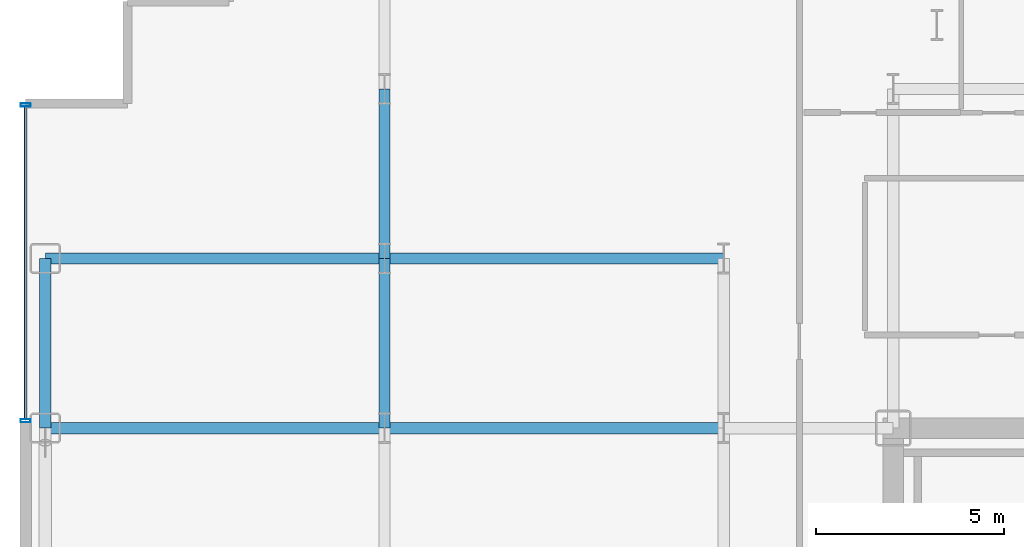
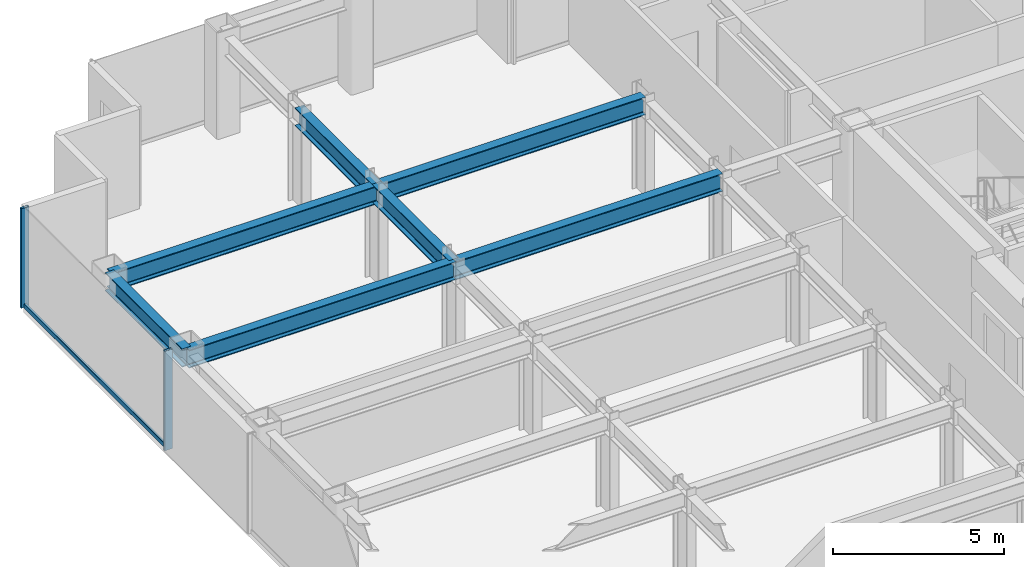
# One storey, part 12 of 27: 7 beams, 3 members, 1 element without a shape of its own.
"""IFC4 building model written with IfcOpenShell, lengths in metres."""

import ifcopenshell
import ifcopenshell.guid

model = None  # the IFC model being written
_history = None  # IfcOwnerHistory: only IFC2X3 demands one
_inside = {}  # id of a spatial element -> (the spatial element, [elements in it])
_under = {}  # id of a project, library or spatial element -> (it, [spatial elements below it])
_declared = {}  # id of a project -> (the project, [libraries it declares])
_typed = {}  # id of a type object -> (the type object, [elements of that type])
_made_of = {}  # id of a material, layer set ... -> (it, [elements and type objects made of it])


def new_model(schema):
    """Start an empty IFC model of exactly this schema.

    Asked for "IFC4X3", IfcOpenShell would pick the latest addendum, in which some entities
    have other attributes; the version numbers below select the first issue.
    IFC2X3 requires an IfcOwnerHistory on every rooted entity: one is made here for all.
    """
    global model, _history
    if schema == "IFC4X3":
        model = ifcopenshell.file(schema_version=(4, 3, 0, 0))
    else:
        model = ifcopenshell.file(schema=schema)
    _inside.clear()
    _under.clear()
    _declared.clear()
    _typed.clear()
    _made_of.clear()
    _history = None
    if model.schema == "IFC2X3":
        org = make("IfcOrganization", Name="unknown")
        user = make(
            "IfcPersonAndOrganization",
            ThePerson=make("IfcPerson", FamilyName="unknown"),
            TheOrganization=org,
        )
        app = make(
            "IfcApplication",
            ApplicationDeveloper=org,
            Version="unknown",
            ApplicationFullName="unknown",
            ApplicationIdentifier="unknown",
        )
        _history = make(
            "IfcOwnerHistory",
            OwningUser=user,
            OwningApplication=app,
            ChangeAction="ADDED",
            CreationDate=0,
        )
    return model


def make(cls, **values):
    """One entity of the class cls with the attributes given. An attribute that is None is left unset."""
    return model.create_entity(
        cls, **{name: value for name, value in values.items() if value is not None}
    )


def rooted(cls, **values):
    """An entity with a GlobalId (a new one), such as an element, a storey or a relation."""
    return make(cls, GlobalId=ifcopenshell.guid.new(), OwnerHistory=_history, **values)


def si_unit(unit_type, name, prefix=None):
    """IfcSIUnit, for example si_unit("LENGTHUNIT", "METRE", prefix="MILLI")."""
    return make("IfcSIUnit", UnitType=unit_type, Prefix=prefix, Name=name)


def assignment(units):
    """IfcUnitAssignment: the units of a project."""
    return None if units is None else make("IfcUnitAssignment", Units=units)


def point(xyz):
    """IfcCartesianPoint."""
    return None if xyz is None else make("IfcCartesianPoint", Coordinates=xyz)


def direction(xyz):
    """IfcDirection."""
    return None if xyz is None else make("IfcDirection", DirectionRatios=xyz)


def frame(location, z_axis=None, x_axis=None):
    """IfcAxis2Placement3D, a coordinate frame: its origin and axes. An axis left out is left unset."""
    return make(
        "IfcAxis2Placement3D",
        Location=point(location),
        Axis=direction(z_axis),
        RefDirection=direction(x_axis),
    )


def frame_2d(location, x_axis=None):
    """IfcAxis2Placement2D, a coordinate frame in the plane: its origin and x axis."""
    return make(
        "IfcAxis2Placement2D", Location=point(location), RefDirection=direction(x_axis)
    )


def origin():
    """The frame at (0, 0, 0) with its axes left unset."""
    return frame((0.0, 0.0, 0.0))


def origin_2d():
    """The frame at (0, 0) in the plane with its x axis left unset."""
    return frame_2d((0.0, 0.0))


def place(relative_to, where):
    """IfcLocalPlacement: puts the frame where relative to a parent placement (None: the world)."""
    return make(
        "IfcLocalPlacement", PlacementRelTo=relative_to, RelativePlacement=where
    )


def context(
    kind, dimensions, precision=None, world=None, true_north=None, identifier=None
):
    """IfcGeometricRepresentationContext, for example the 3D "Model" context."""
    return make(
        "IfcGeometricRepresentationContext",
        ContextIdentifier=identifier,
        ContextType=kind,
        CoordinateSpaceDimension=dimensions,
        Precision=precision,
        WorldCoordinateSystem=world,
        TrueNorth=true_north,
    )


def subcontext(parent, identifier, kind, view, scale=None):
    """IfcGeometricRepresentationSubContext, for example "Body" below "Model"."""
    return make(
        "IfcGeometricRepresentationSubContext",
        ContextIdentifier=identifier,
        ContextType=kind,
        ParentContext=parent,
        TargetScale=scale,
        TargetView=view,
    )


def project(units=None, contexts=None):
    """IfcProject with its units and contexts."""
    return rooted(
        "IfcProject",
        Name="project",
        RepresentationContexts=contexts,
        UnitsInContext=assignment(units),
    )


def spatial(cls, under=None, at=None, **own):
    """A site, building, storey or space (cls), placed at a placement, below another one or the project."""
    s = rooted(cls, ObjectPlacement=at, **own)
    if under is not None:
        _under.setdefault(under.id(), (under, []))[1].append(s)
    return s


def profile(cls, at=None, kind="AREA", **sizes):
    """A parametric profile (cls). Its sizes go by their IFC names, for example OverallWidth=200.0."""
    return make(cls, ProfileType=kind, Position=at, **sizes)


def hollow_rectangle(**sizes):
    """IfcRectangleHollowProfileDef."""
    return profile("IfcRectangleHollowProfileDef", **sizes)


def i_section(**sizes):
    """IfcIShapeProfileDef."""
    return profile("IfcIShapeProfileDef", **sizes)


def extrude(swept, where, along, depth):
    """IfcExtrudedAreaSolid: the profile swept, set in the frame where, extruded along a direction by depth."""
    return make(
        "IfcExtrudedAreaSolid",
        SweptArea=swept,
        Position=where,
        ExtrudedDirection=direction(along),
        Depth=depth,
    )


def shape(context_of_items, identifier, shape_type, items):
    """IfcShapeRepresentation: the items that make up one representation, for example the "Body"."""
    return make(
        "IfcShapeRepresentation",
        ContextOfItems=context_of_items,
        RepresentationIdentifier=identifier,
        RepresentationType=shape_type,
        Items=items,
    )


def source(mapping_origin, context_of_items, identifier, shape_type, items):
    """IfcRepresentationMap: a shape defined once, which mapped items show again and again."""
    return make(
        "IfcRepresentationMap",
        MappingOrigin=mapping_origin,
        MappedRepresentation=shape(context_of_items, identifier, shape_type, items),
    )


def transform(
    local_origin,
    x_axis=None,
    y_axis=None,
    z_axis=None,
    scale=None,
    scale2=None,
    scale3=None,
    uniform=True,
):
    """IfcCartesianTransformationOperator3D, or its non-uniform kind. x_axis, y_axis, z_axis: its Axis1, 2, 3."""
    if uniform:
        return make(
            "IfcCartesianTransformationOperator3D",
            Axis1=direction(x_axis),
            Axis2=direction(y_axis),
            LocalOrigin=point(local_origin),
            Scale=scale,
            Axis3=direction(z_axis),
        )
    return make(
        "IfcCartesianTransformationOperator3DnonUniform",
        Axis1=direction(x_axis),
        Axis2=direction(y_axis),
        LocalOrigin=point(local_origin),
        Scale=scale,
        Axis3=direction(z_axis),
        Scale2=scale2,
        Scale3=scale3,
    )


def mapped(mapping_source, mapping_target):
    """IfcMappedItem: shows the shape of a source again, moved by a transform."""
    return make(
        "IfcMappedItem", MappingSource=mapping_source, MappingTarget=mapping_target
    )


def material(Name=None, Category=None):
    """IfcMaterial."""
    return make("IfcMaterial", Name=Name, Category=Category)


def layer(
    of_material, thickness, ventilated=None, Name=None, Category=None, Priority=None
):
    """IfcMaterialLayer: one layer of a wall or slab, of a material (None: an air gap)."""
    return make(
        "IfcMaterialLayer",
        Material=of_material,
        LayerThickness=thickness,
        IsVentilated=ventilated,
        Name=Name,
        Category=Category,
        Priority=Priority,
    )


def layer_set(layers, Name=None):
    """IfcMaterialLayerSet."""
    return make("IfcMaterialLayerSet", MaterialLayers=layers, LayerSetName=Name)


def material_profile(
    of_material, cross_section, Name=None, Category=None, Priority=None
):
    """IfcMaterialProfile: a cross section and its material."""
    return make(
        "IfcMaterialProfile",
        Name=Name,
        Material=of_material,
        Profile=cross_section,
        Priority=Priority,
        Category=Category,
    )


def profile_set(profiles, Name=None, composite=None):
    """IfcMaterialProfileSet."""
    return make(
        "IfcMaterialProfileSet",
        Name=Name,
        MaterialProfiles=profiles,
        CompositeProfile=composite,
    )


def made_of(thing, what):
    """Note that an element or type object is made of a material, layer set ...; save() writes the relation."""
    if what is not None:
        _made_of.setdefault(what.id(), (what, []))[1].append(thing)
    return thing


def type_object(cls, material=None, **own):
    """A type object (cls), such as IfcWallType, which elements share."""
    return made_of(rooted(cls, **own), material)


def element(
    cls,
    number,
    at=None,
    inside=None,
    cuts=None,
    type_object=None,
    material=None,
    context=None,
    identifier="Body",
    shape_type=None,
    held_by="IfcProductDefinitionShape",
    body=None,
    shapes=None,
    **own,
):
    """One element of the class cls, such as IfcWall. Its Tag is "e" and its number.

    at: its placement. inside: the storey or other place that contains it. cuts: it is an
    opening in that element (IfcRelVoidsElement). A single representation is given by context,
    identifier, shape_type and body (its items); several are given by shapes. held_by: the class
    of the entity that holds the representations. save() writes the other relations.
    """
    e = rooted(cls, Tag="e%d" % number, ObjectPlacement=at, **own)
    if body is not None:
        shapes = [shape(context, identifier, shape_type, body)]
    if shapes is not None:
        e.Representation = make(held_by, Representations=shapes)
    if inside is not None:
        _inside.setdefault(inside.id(), (inside, []))[1].append(e)
    if cuts is not None:
        rooted(
            "IfcRelVoidsElement", RelatingBuildingElement=cuts, RelatedOpeningElement=e
        )
    if type_object is not None:
        _typed.setdefault(type_object.id(), (type_object, []))[1].append(e)
    return made_of(e, material)


def aggregate(whole, parts):
    """IfcRelAggregates: a whole, such as a stair, and the parts it consists of."""
    return rooted("IfcRelAggregates", RelatingObject=whole, RelatedObjects=parts)


def save(model, path):
    """Write the relations noted so far, then the file.

    IfcRelAggregates (storeys below a building ...), IfcRelContainedInSpatialStructure (elements
    in a storey), IfcRelDefinesByType, IfcRelAssociatesMaterial and IfcRelDeclares: one each for
    every whole, place, type object, material and project.
    """
    for whole, parts in _under.values():
        aggregate(whole, parts)
    for where, things in _inside.values():
        rooted(
            "IfcRelContainedInSpatialStructure",
            RelatedElements=things,
            RelatingStructure=where,
        )
    for kind, things in _typed.values():
        rooted("IfcRelDefinesByType", RelatedObjects=things, RelatingType=kind)
    for what, things in _made_of.values():
        rooted("IfcRelAssociatesMaterial", RelatedObjects=things, RelatingMaterial=what)
    for by, libraries in _declared.values():
        rooted("IfcRelDeclares", RelatingContext=by, RelatedDefinitions=libraries)
    model.write(path)


model = new_model("IFC4")

# Units and contexts
model_context = context("Model", 3, precision=1e-05, world=origin(), true_north=direction((0.0, 1.0)))
body_context = subcontext(model_context, "Body", "Model", "MODEL_VIEW")
ifc_project = project(units=[si_unit("LENGTHUNIT", "METRE"), si_unit("AREAUNIT", "SQUARE_METRE"), si_unit("VOLUMEUNIT", "CUBIC_METRE"), si_unit("PLANEANGLEUNIT", "RADIAN"), si_unit("MASSUNIT", "GRAM", prefix="KILO")], contexts=[model_context])

# Site, building, storey
site_placement = place(None, origin())
site = spatial("IfcSite", under=ifc_project, at=site_placement, CompositionType="ELEMENT")
building_placement = place(site_placement, origin())
building = spatial("IfcBuilding", under=site, at=building_placement, Name="Nefas-Gora Pilgrimage Tower", CompositionType="ELEMENT")
storey_placement = place(building_placement, frame((0.0, 0.0, 148.800048828125)))
storey = spatial("IfcBuildingStorey", under=building, at=storey_placement, Name="L36", CompositionType="ELEMENT", Elevation=148.800048828125)

# Beams
ifc_material_1 = material(Name="Steel S355", Category="steel")
ifc_material_profile_1 = material_profile(ifc_material_1, i_section(OverallWidth=0.300048828125, OverallDepth=0.64990234375, WebThickness=0.01611328125, FlangeThickness=0.031005859375, FilletRadius=0.027099609375, at=origin_2d()), Name="HEB 650")
ifc_profile_set_1 = profile_set([ifc_material_profile_1], Name="Steel S355")
beam_type_1 = type_object("IfcBeamType", Name="BM-SPN-HEB500", PredefinedType="SPANDREL", material=ifc_profile_set_1)
shared_shape_1 = source(origin(), body_context, "Body", "SweptSolid", [
    extrude(i_section(OverallWidth=0.300048828125, OverallDepth=0.64990234375, WebThickness=0.01611328125, FlangeThickness=0.031005859375, FilletRadius=0.027099609375, at=origin_2d()), origin(), (0.0, 0.0, 1.0), 4.5),
])
beam_placement = place(storey_placement, frame((-33.75, 9.0, 3.224853515625), z_axis=(0.0, 1.0, 0.0), x_axis=(-1.0, 0.0, 0.0)))
element("IfcBeam", 1, at=beam_placement, inside=storey, type_object=beam_type_1, Name="L36 SP-02 beam", PredefinedType="SPANDREL", context=body_context, shape_type="MappedRepresentation", body=[
    mapped(shared_shape_1, transform((0.0, 0.0, 0.0), x_axis=(1.0, 0.0, 0.0), y_axis=(0.0, 1.0, 0.0), z_axis=(0.0, 0.0, 1.0), scale=1.0)),
])
ifc_material_profile_2 = material_profile(ifc_material_1, i_section(OverallWidth=0.300048828125, OverallDepth=0.64990234375, WebThickness=0.01611328125, FlangeThickness=0.031005859375, FilletRadius=0.027099609375, at=origin_2d()), Name="HEB 650")
ifc_profile_set_2 = profile_set([ifc_material_profile_2], Name="Steel S355")
beam_type_2 = type_object("IfcBeamType", Name="BM-GIR-HEB650", PredefinedType="BEAM", material=ifc_profile_set_2)
shared_shape_2 = source(origin(), body_context, "Body", "SweptSolid", [
    extrude(i_section(OverallWidth=0.300048828125, OverallDepth=0.64990234375, WebThickness=0.01611328125, FlangeThickness=0.031005859375, FilletRadius=0.027099609375, at=origin_2d()), origin(), (0.0, 0.0, 1.0), 9.0),
])
for number, where, z_axis, x_axis, name in (
    (2, (-33.75, 9.0, 3.224853515625), (1.0, 0.0, 0.0), (0.0, 1.0, 0.0), "L36 G-03 beam"),
    (3, (-33.75, 13.5, 3.224853515625), (1.0, 0.0, 0.0), (0.0, 1.0, 0.0), "L36 G-03 beam"),
    (4, (-24.75, 9.0, 3.224853515625), (1.0, 0.0, 0.0), (0.0, 1.0, 0.0), "L36 G-03 beam"),
    (5, (-24.75, 13.5, 3.224853515625), (1.0, 0.0, 0.0), (0.0, 1.0, 0.0), "L36 G-03 beam"),
):
    element("IfcBeam", number, at=place(storey_placement, frame(where, z_axis=z_axis, x_axis=x_axis)), inside=storey, type_object=beam_type_2, Name=name, PredefinedType="BEAM", context=body_context, shape_type="MappedRepresentation", body=[
        mapped(shared_shape_2, transform((0.0, 0.0, 0.0), x_axis=(1.0, 0.0, 0.0), y_axis=(0.0, 1.0, 0.0), z_axis=(0.0, 0.0, 1.0), scale=1.0)),
    ])
shared_shape_3 = source(origin(), body_context, "Body", "SweptSolid", [
    extrude(i_section(OverallWidth=0.300048828125, OverallDepth=0.64990234375, WebThickness=0.01611328125, FlangeThickness=0.031005859375, FilletRadius=0.027099609375, at=origin_2d()), origin(), (0.0, 0.0, 1.0), 4.5),
])
for number, where, z_axis, x_axis, name in (
    (6, (-24.75, 9.0, 3.224853515625), (0.0, 1.0, 0.0), (-1.0, 0.0, 0.0), "L36 G-03 beam"),
    (7, (-24.75, 13.5, 3.224853515625), (0.0, 1.0, 0.0), (-1.0, 0.0, 0.0), "L36 G-03 beam"),
):
    element("IfcBeam", number, at=place(storey_placement, frame(where, z_axis=z_axis, x_axis=x_axis)), inside=storey, type_object=beam_type_2, Name=name, PredefinedType="BEAM", context=body_context, shape_type="MappedRepresentation", body=[
        mapped(shared_shape_3, transform((0.0, 0.0, 0.0), x_axis=(1.0, 0.0, 0.0), y_axis=(0.0, 1.0, 0.0), z_axis=(0.0, 0.0, 1.0), scale=1.0)),
    ])

# Curtain wall, members
ifc_material_2 = material(Name="Dark ceramic-fritted solar-control aluminium-glass curtain wall", Category="aluminium")
ifc_layer = layer(ifc_material_2, 0.219970703125)
ifc_layer_set = layer_set([ifc_layer], Name="Dark ceramic-fritted solar-control aluminium-glass curtain wall")
curtain_wall_type = type_object("IfcCurtainWallType", Name="CW-SYS-3", PredefinedType="NOTDEFINED", material=ifc_layer_set)
curtain_wall_placement = place(storey_placement, origin())
curtain_wall = element("IfcCurtainWall", 8, at=curtain_wall_placement, inside=storey, type_object=curtain_wall_type, Name="L36 Unitised Curtain Wall CW3", PredefinedType="NOTDEFINED")
ifc_material_3 = material(Name="Anodised architectural aluminium", Category="aluminium")
ifc_material_profile_3 = material_profile(ifc_material_3, hollow_rectangle(XDim=0.090087890625, YDim=0.260009765625, WallThickness=0.006103515625, InnerFilletRadius=0.006103515625, OuterFilletRadius=0.011962890625, at=origin_2d()), Name="ALU MULLION 90x260")
ifc_profile_set_3 = profile_set([ifc_material_profile_3], Name="Anodised architectural aluminium")
member_type_1 = type_object("IfcMemberType", Name="CWM-MUL-3", PredefinedType="MULLION", material=ifc_profile_set_3)
shared_shape_4 = source(origin(), body_context, "Body", "SweptSolid", [
    extrude(hollow_rectangle(XDim=0.090087890625, YDim=0.260009765625, WallThickness=0.006103515625, InnerFilletRadius=0.006103515625, OuterFilletRadius=0.011962890625, at=origin_2d()), origin(), (0.0, 0.0, 1.0), 3.550048828125),
])
member_1_placement = place(storey_placement, frame((-34.27001953125, 17.574951171875, 0.0), z_axis=(0.0, 0.0, 1.0), x_axis=(0.0, -1.0, 0.0)))
member_1 = element("IfcMember", 9, at=member_1_placement, type_object=member_type_1, Name="CW3 Mullion 1", PredefinedType="MULLION", context=body_context, shape_type="MappedRepresentation", body=[
    mapped(shared_shape_4, transform((0.0, 0.0, 0.0), x_axis=(1.0, 0.0, 0.0), y_axis=(0.0, 1.0, 0.0), z_axis=(0.0, 0.0, 1.0), scale=1.0)),
])
member_2_placement = place(storey_placement, frame((-34.27001953125, 9.195068359375, 0.0), z_axis=(0.0, 0.0, 1.0), x_axis=(0.0, -1.0, 0.0)))
member_2 = element("IfcMember", 10, at=member_2_placement, type_object=member_type_1, Name="CW3 Mullion 2", PredefinedType="MULLION", context=body_context, shape_type="MappedRepresentation", body=[
    mapped(shared_shape_4, transform((0.0, 0.0, 0.0), x_axis=(1.0, 0.0, 0.0), y_axis=(0.0, 1.0, 0.0), z_axis=(0.0, 0.0, 1.0), scale=1.0)),
])
ifc_material_profile_4 = material_profile(ifc_material_3, hollow_rectangle(XDim=0.080078125, YDim=0.159912109375, WallThickness=0.00439453125, InnerFilletRadius=0.00439453125, OuterFilletRadius=0.009033203125, at=origin_2d()), Name="ALU TRANSOM 80x160")
ifc_profile_set_4 = profile_set([ifc_material_profile_4], Name="Anodised architectural aluminium")
member_type_2 = type_object("IfcMemberType", Name="CWM-TRN-3", PredefinedType="USERDEFINED", material=ifc_profile_set_4)
shared_shape_5 = source(origin(), body_context, "Body", "SweptSolid", [
    extrude(hollow_rectangle(XDim=0.080078125, YDim=0.159912109375, WallThickness=0.00439453125, InnerFilletRadius=0.00439453125, OuterFilletRadius=0.009033203125, at=origin_2d()), origin(), (0.0, 0.0, 1.0), 8.2900390625),
])
member_3_placement = place(storey_placement, frame((-34.27001953125, 17.530029296875, 0.050048828125), z_axis=(0.0, -1.0, 0.0), x_axis=(1.0, 0.0, 0.0)))
member_3 = element("IfcMember", 11, at=member_3_placement, type_object=member_type_2, Name="CW3 Spandrel Transom", ObjectType="TRANSOM", PredefinedType="USERDEFINED", context=body_context, shape_type="MappedRepresentation", body=[
    mapped(shared_shape_5, transform((0.0, 0.0, 0.0), x_axis=(1.0, 0.0, 0.0), y_axis=(0.0, 1.0, 0.0), z_axis=(0.0, 0.0, 1.0), scale=1.0)),
])
aggregate(curtain_wall, [member_1, member_2, member_3])

save(model, "model.ifc")
